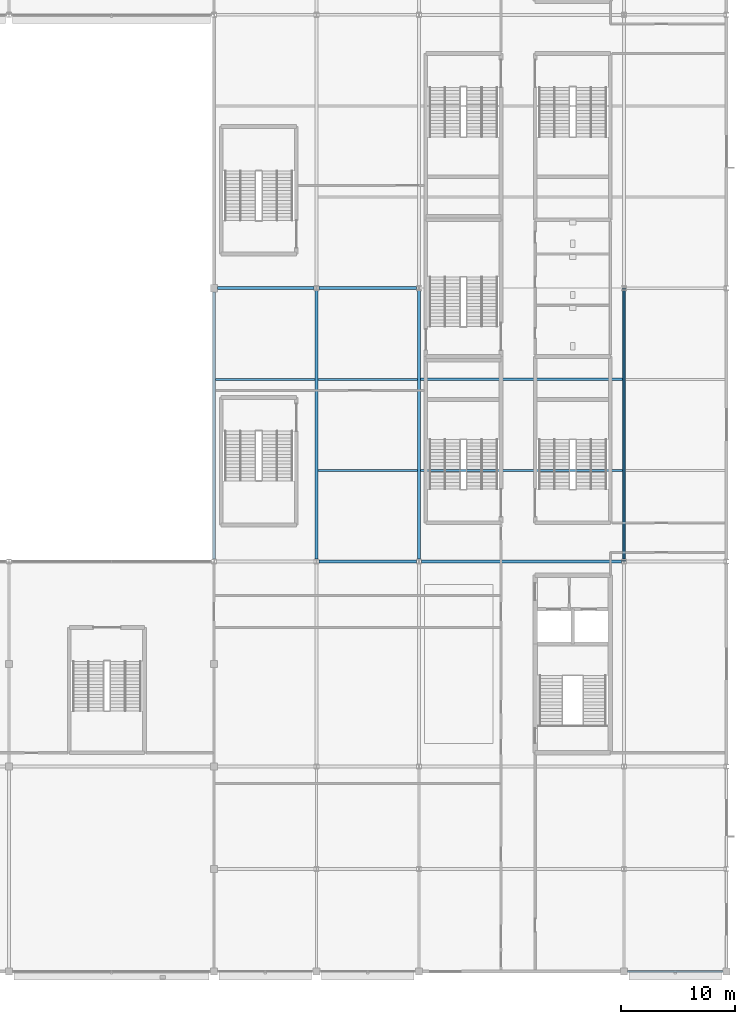
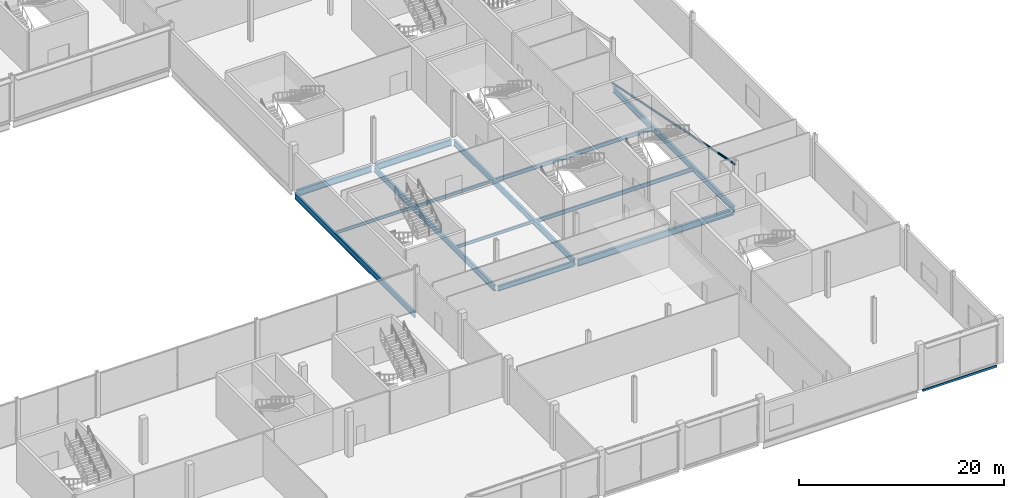
# One storey, part 46 of 111: 14 beams, 1 member.
"""IFC4 building model written with IfcOpenShell, lengths in metres."""

from ifc_helpers import new_model, si_unit, direction, frame, origin, origin_2d, place, context, subcontext, project, spatial, hollow_rectangle, hollow_circle, i_section, extrude, material, material_profile, profile_set, type_object, element, save


model = new_model("IFC4")

# Units and contexts
model_context = context("Model", 3, precision=1e-05, world=origin(), true_north=direction((0.0, 1.0)))
body_context = subcontext(model_context, "Body", "Model", "MODEL_VIEW")
ifc_project = project(units=[si_unit("LENGTHUNIT", "METRE"), si_unit("AREAUNIT", "SQUARE_METRE"), si_unit("VOLUMEUNIT", "CUBIC_METRE"), si_unit("PLANEANGLEUNIT", "RADIAN"), si_unit("MASSUNIT", "GRAM", prefix="KILO")], contexts=[model_context])

# Site, building, storey
site_placement = place(None, origin())
site = spatial("IfcSite", under=ifc_project, at=site_placement, CompositionType="ELEMENT")
building_placement = place(site_placement, origin())
building = spatial("IfcBuilding", under=site, at=building_placement, Name="Kisiwana Market Hall", CompositionType="ELEMENT")
storey_placement = place(building_placement, frame((0.0, 0.0, 11.39990234375)))
storey = spatial("IfcBuildingStorey", under=building, at=storey_placement, Name="L02", CompositionType="ELEMENT", Elevation=11.39990234375)

# Beams
ifc_material_1 = material(Name="Steel S355", Category="steel")
ifc_material_profile_1 = material_profile(ifc_material_1, i_section(OverallWidth=0.22900390625, OverallDepth=0.6123046875, WebThickness=0.011962890625, FlangeThickness=0.01953125, at=origin_2d()), Name="UB 610x229x125")
ifc_profile_set_1 = profile_set([ifc_material_profile_1], Name="Steel S355")
beam_type_1 = type_object("IfcBeamType", Name="BM-GIRD-UB610H", PredefinedType="BEAM", material=ifc_profile_set_1)
beam_1_placement = place(storey_placement, frame((162.201904296875, 36.0, -0.555908203125), z_axis=(1.0, 0.0, 0.0), x_axis=(0.0, 1.0, 0.0)))
element("IfcBeam", 1, at=beam_1_placement, inside=storey, type_object=beam_type_1, Name="Floor beam B-0768", PredefinedType="BEAM", context=body_context, shape_type="SweptSolid", body=[
    extrude(i_section(OverallWidth=0.22900390625, OverallDepth=0.6123046875, WebThickness=0.011962890625, FlangeThickness=0.01953125, at=origin_2d()), origin(), (0.0, 0.0, 1.0), 8.59619140625),
])
ifc_material_2 = material(Name="Steel S355", Category="steel")
ifc_material_profile_2 = material_profile(ifc_material_2, i_section(OverallWidth=0.253662109375, OverallDepth=0.68359375, WebThickness=0.012451171875, FlangeThickness=0.01904296875, at=origin_2d()), Name="UB 686x254x140")
ifc_profile_set_2 = profile_set([ifc_material_profile_2], Name="Steel S355")
beam_type_2 = type_object("IfcBeamType", Name="BM-GIRD-UB686", PredefinedType="BEAM", material=ifc_profile_set_2)
beam_2_placement = place(storey_placement, frame((153.0, 36.21337890625, -0.591552734375), z_axis=(0.0, 1.0, 0.0), x_axis=(-1.0, 0.0, 0.0)))
element("IfcBeam", 2, at=beam_2_placement, inside=storey, type_object=beam_type_2, Name="Floor beam B-0837", PredefinedType="BEAM", context=body_context, shape_type="SweptSolid", body=[
    extrude(i_section(OverallWidth=0.253662109375, OverallDepth=0.68359375, WebThickness=0.012451171875, FlangeThickness=0.01904296875, at=origin_2d()), origin(), (0.0, 0.0, 1.0), 23.465576171875),
])
for number, where, z_axis, x_axis, name in (
    (3, (171.0, 36.21337890625, -0.591552734375), (0.0, 1.0, 0.0), (-1.0, 0.0, 0.0), "Floor beam B-0839"),
    (4, (162.0, 36.21337890625, -0.591552734375), (0.0, 1.0, 0.0), (-1.0, 0.0, 0.0), "Primary girder B-0672"),
    (5, (189.0, 36.21337890625, -0.591552734375), (0.0, 1.0, 0.0), (-1.0, 0.0, 0.0), "Primary girder B-0686"),
):
    element("IfcBeam", number, at=place(storey_placement, frame(where, z_axis=z_axis, x_axis=x_axis)), inside=storey, type_object=beam_type_2, Name=name, PredefinedType="BEAM", context=body_context, shape_type="SweptSolid", body=[
        extrude(i_section(OverallWidth=0.253662109375, OverallDepth=0.68359375, WebThickness=0.012451171875, FlangeThickness=0.01904296875, at=origin_2d()), origin(), (0.0, 0.0, 1.0), 23.5732421875),
    ])
ifc_material_3 = material(Name="Steel S355", Category="steel")
ifc_material_profile_3 = material_profile(ifc_material_3, i_section(OverallWidth=0.2666015625, OverallDepth=0.76220703125, WebThickness=0.014404296875, FlangeThickness=0.021484375, at=origin_2d()), Name="UB 762x267x173")
ifc_profile_set_3 = profile_set([ifc_material_profile_3], Name="Steel S355")
beam_type_3 = type_object("IfcBeamType", Name="BM-GIRD-UB762", PredefinedType="BEAM", material=ifc_profile_set_3)
beam_3_placement = place(storey_placement, frame((171.201904296875, 36.0, -0.631103515625), z_axis=(1.0, 0.0, 0.0), x_axis=(0.0, 1.0, 0.0)))
element("IfcBeam", 6, at=beam_3_placement, inside=storey, type_object=beam_type_3, Name="Floor beam B-0769", PredefinedType="BEAM", context=body_context, shape_type="SweptSolid", body=[
    extrude(i_section(OverallWidth=0.2666015625, OverallDepth=0.76220703125, WebThickness=0.014404296875, FlangeThickness=0.021484375, at=origin_2d()), origin(), (0.0, 0.0, 1.0), 17.59619140625),
])
beam_4_placement = place(storey_placement, frame((153.321044921875, 60.0, -0.631103515625), z_axis=(1.0, 0.0, 0.0), x_axis=(0.0, 1.0, 0.0)))
element("IfcBeam", 7, at=beam_4_placement, inside=storey, type_object=beam_type_3, Name="Floor beam B-0772", PredefinedType="BEAM", context=body_context, shape_type="SweptSolid", body=[
    extrude(i_section(OverallWidth=0.2666015625, OverallDepth=0.76220703125, WebThickness=0.014404296875, FlangeThickness=0.021484375, at=origin_2d()), origin(), (0.0, 0.0, 1.0), 8.47705078125),
])
beam_5_placement = place(storey_placement, frame((162.201904296875, 60.0, -0.631103515625), z_axis=(1.0, 0.0, 0.0), x_axis=(0.0, 1.0, 0.0)))
element("IfcBeam", 8, at=beam_5_placement, inside=storey, type_object=beam_type_3, Name="Floor beam B-0598", PredefinedType="BEAM", context=body_context, shape_type="SweptSolid", body=[
    extrude(i_section(OverallWidth=0.2666015625, OverallDepth=0.76220703125, WebThickness=0.014404296875, FlangeThickness=0.021484375, at=origin_2d()), origin(), (0.0, 0.0, 1.0), 8.59619140625),
])
ifc_material_4 = material(Name="Steel S355", Category="steel")
ifc_material_profile_4 = material_profile(ifc_material_4, i_section(OverallWidth=0.17138671875, OverallDepth=0.35498046875, WebThickness=0.00732421875, FlangeThickness=0.011474609375, at=origin_2d()), Name="UB 356x171x51")
ifc_profile_set_4 = profile_set([ifc_material_profile_4], Name="Steel S355")
beam_type_4 = type_object("IfcBeamType", Name="BM-JOIST-UB356", PredefinedType="JOIST", material=ifc_profile_set_4)
for number, where, z_axis, x_axis, name in (
    (9, (162.125732421875, 44.0, -0.427490234375), (1.0, 0.0, 0.0), (0.0, 1.0, 0.0), "Secondary floor joist B-0694"),
    (10, (153.125732421875, 52.0, -0.427490234375), (1.0, 0.0, 0.0), (0.0, 1.0, 0.0), "Secondary floor joist B-0701"),
    (11, (162.125732421875, 52.0, -0.427490234375), (1.0, 0.0, 0.0), (0.0, 1.0, 0.0), "Secondary floor joist B-0702"),
):
    element("IfcBeam", number, at=place(storey_placement, frame(where, z_axis=z_axis, x_axis=x_axis)), inside=storey, type_object=beam_type_4, Name=name, PredefinedType="JOIST", context=body_context, shape_type="SweptSolid", body=[
        extrude(i_section(OverallWidth=0.17138671875, OverallDepth=0.35498046875, WebThickness=0.00732421875, FlangeThickness=0.011474609375, at=origin_2d()), origin(), (0.0, 0.0, 1.0), 8.74853515625),
    ])
ifc_material_5 = material(Name="Steel S355", Category="steel")
ifc_material_profile_5 = material_profile(ifc_material_5, i_section(OverallWidth=0.18994140625, OverallDepth=0.453369140625, WebThickness=0.008544921875, FlangeThickness=0.0126953125, at=origin_2d()), Name="UB 457x191x67")
ifc_profile_set_5 = profile_set([ifc_material_profile_5], Name="Steel S355")
beam_type_5 = type_object("IfcBeamType", Name="BM-JOIST-UB457", PredefinedType="JOIST", material=ifc_profile_set_5)
for number, where, z_axis, x_axis, name in (
    (12, (171.125732421875, 44.0, -0.4765625), (1.0, 0.0, 0.0), (0.0, 1.0, 0.0), "Secondary floor joist B-0695"),
    (13, (171.125732421875, 52.0, -0.4765625), (1.0, 0.0, 0.0), (0.0, 1.0, 0.0), "Secondary floor joist B-0703"),
):
    element("IfcBeam", number, at=place(storey_placement, frame(where, z_axis=z_axis, x_axis=x_axis)), inside=storey, type_object=beam_type_5, Name=name, PredefinedType="JOIST", context=body_context, shape_type="SweptSolid", body=[
        extrude(i_section(OverallWidth=0.18994140625, OverallDepth=0.453369140625, WebThickness=0.008544921875, FlangeThickness=0.0126953125, at=origin_2d()), origin(), (0.0, 0.0, 1.0), 17.74853515625),
    ])
ifc_material_6 = material(Name="Steel S355", Category="steel")
ifc_material_profile_6 = material_profile(ifc_material_6, hollow_rectangle(XDim=0.14990234375, YDim=0.25, WallThickness=0.010009765625, at=origin_2d()), Name="RHS 250x150x10.0")
ifc_profile_set_6 = profile_set([ifc_material_profile_6], Name="Steel S355")
beam_type_6 = type_object("IfcBeamType", Name="BM-SPAN-RHS250", PredefinedType="SPANDREL", material=ifc_profile_set_6)
beam_6_placement = place(storey_placement, frame((189.321044921875, 0.0, -0.375), z_axis=(1.0, 0.0, 0.0), x_axis=(0.0, 1.0, 0.0)))
element("IfcBeam", 14, at=beam_6_placement, inside=storey, type_object=beam_type_6, Name="Floor beam B-0732", PredefinedType="SPANDREL", context=body_context, shape_type="SweptSolid", body=[
    extrude(hollow_rectangle(XDim=0.14990234375, YDim=0.25, WallThickness=0.010009765625, at=origin_2d()), origin(), (0.0, 0.0, 1.0), 8.35791015625),
])

# Member
ifc_material_7 = material(Name="Steel S355", Category="steel")
ifc_material_profile_7 = material_profile(ifc_material_7, hollow_circle(Radius=0.122314453125, WallThickness=0.012451171875, at=origin_2d()), Name="CHS 244.5x12.5")
ifc_profile_set_7 = profile_set([ifc_material_profile_7], Name="Steel S355")
member_type = type_object("IfcMemberType", Name="MB-CBF-CHS244", PredefinedType="BRACE", material=ifc_profile_set_7)
member_placement = place(storey_placement, frame((189.0, 60.0, 0.0), z_axis=(0.0, -0.980185232723, 0.198083087497), x_axis=(1.0, 0.0, 0.0)))
element("IfcMember", 15, at=member_placement, inside=storey, type_object=member_type, Name="CBF-POD-E diagonal brace (L02) M-0022", PredefinedType="BRACE", context=body_context, shape_type="SweptSolid", body=[
    extrude(hollow_circle(Radius=0.122314453125, WallThickness=0.012451171875, at=origin_2d()), origin(), (0.0, 0.0, 1.0), 24.485107421875),
])

save(model, "model.ifc")
